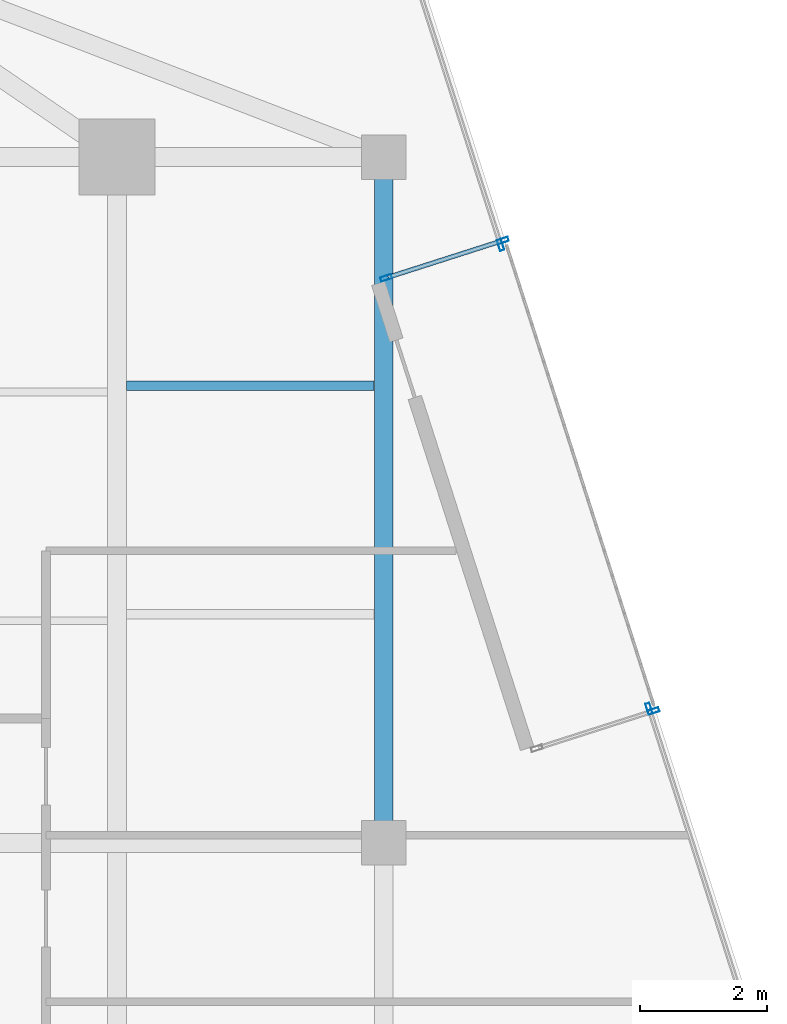
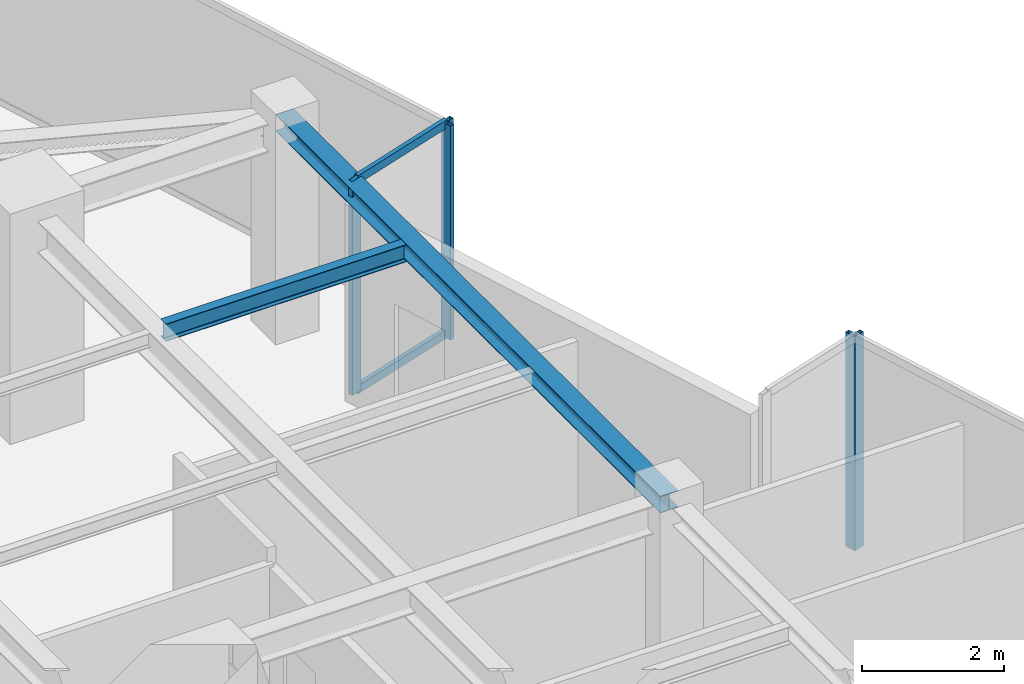
# One storey, part 12 of 21: 7 members, 2 beams, 4 elements without a shape of their own.
"""IFC4 building model written with IfcOpenShell, lengths in metres."""

from ifc_helpers import new_model, si_unit, direction, frame, origin, origin_2d, place, context, subcontext, project, spatial, hollow_rectangle, i_section, extrude, source, transform, mapped, material, material_profile, profile_set, type_object, type_shapes, element, aggregate, save


model = new_model("IFC4")

# Units and contexts
model_context = context("Model", 3, precision=1e-05, world=origin(), true_north=direction((0.0, 1.0)))
body_context = subcontext(model_context, "Body", "Model", "MODEL_VIEW")
ifc_project = project(units=[si_unit("LENGTHUNIT", "METRE"), si_unit("AREAUNIT", "SQUARE_METRE"), si_unit("VOLUMEUNIT", "CUBIC_METRE"), si_unit("PLANEANGLEUNIT", "RADIAN"), si_unit("MASSUNIT", "GRAM", prefix="KILO")], contexts=[model_context])

# Site, building, storey
site_placement = place(None, origin())
site = spatial("IfcSite", under=ifc_project, at=site_placement, CompositionType="ELEMENT")
building_placement = place(site_placement, origin())
building = spatial("IfcBuilding", under=site, at=building_placement, Name="Krantzveldt Concourse Tower", CompositionType="ELEMENT")
storey_placement = place(building_placement, frame((0.0, 0.0, 339.550048828125)))
storey = spatial("IfcBuildingStorey", under=building, at=storey_placement, Name="L83", CompositionType="ELEMENT", Elevation=339.550048828125)

# Beams
ifc_material_1 = material(Name="Steel S355JR", Category="steel")
ifc_material_profile_1 = material_profile(ifc_material_1, i_section(OverallWidth=0.2900390625, OverallDepth=0.2900390625, WebThickness=0.008544921875, FlangeThickness=0.013916015625, FilletRadius=0.027099609375, at=origin_2d()), Name="Steel S355JR", Category="steel")
ifc_profile_set_1 = profile_set([ifc_material_profile_1], Name="Steel S355JR - HEA 300")
beam_type_1 = type_object("IfcBeamType", Name="BM-SP-HEA300", PredefinedType="SPANDREL", material=ifc_profile_set_1)
shared_shape_1 = source(origin(), body_context, "Body", "SweptSolid", [
    extrude(i_section(OverallWidth=0.2900390625, OverallDepth=0.2900390625, WebThickness=0.008544921875, FlangeThickness=0.013916015625, FilletRadius=0.027099609375, at=origin_2d()), origin(), (0.0, 0.0, 1.0), 10.800048828125),
])
type_shapes(beam_type_1, [shared_shape_1])
beam_1_placement = place(storey_placement, frame((51.0, 37.5, 3.52490234375), z_axis=(0.0, -1.0, 0.0), x_axis=(1.0, 0.0, 0.0)))
element("IfcBeam", 1, at=beam_1_placement, inside=storey, type_object=beam_type_1, Name="L83 Tower Girder SP-R06", PredefinedType="SPANDREL", context=body_context, shape_type="MappedRepresentation", body=[
    mapped(shared_shape_1, transform((0.0, 0.0, 0.0), x_axis=(1.0, 0.0, 0.0), y_axis=(0.0, 1.0, 0.0), z_axis=(0.0, 0.0, 1.0), scale=1.0)),
])
ifc_material_profile_2 = material_profile(ifc_material_1, i_section(OverallWidth=0.14990234375, OverallDepth=0.300048828125, WebThickness=0.007080078125, FlangeThickness=0.0107421875, FilletRadius=0.014892578125, at=origin_2d()), Name="Steel S355JR", Category="steel")
ifc_profile_set_2 = profile_set([ifc_material_profile_2], Name="Steel S355JR - IPE 300")
beam_type_2 = type_object("IfcBeamType", Name="BM-J-IPE300", PredefinedType="JOIST", material=ifc_profile_set_2)
shared_shape_2 = source(origin(), body_context, "Body", "SweptSolid", [
    extrude(i_section(OverallWidth=0.14990234375, OverallDepth=0.300048828125, WebThickness=0.007080078125, FlangeThickness=0.0107421875, FilletRadius=0.014892578125, at=origin_2d()), origin(), (0.0, 0.0, 1.0), 3.900146484375),
])
type_shapes(beam_type_2, [shared_shape_2])
beam_2_placement = place(storey_placement, frame((46.949951171875, 33.89990234375, 3.52001953125), z_axis=(1.0, 0.0, 0.0), x_axis=(0.0, 1.0, 0.0)))
element("IfcBeam", 2, at=beam_2_placement, inside=storey, type_object=beam_type_2, Name="L83 Secondary Floor Joist JE-4", PredefinedType="JOIST", context=body_context, shape_type="MappedRepresentation", body=[
    mapped(shared_shape_2, transform((0.0, 0.0, 0.0), x_axis=(1.0, 0.0, 0.0), y_axis=(0.0, 1.0, 0.0), z_axis=(0.0, 0.0, 1.0), scale=1.0)),
])

# Curtain wall, member
ifc_material_2 = material(Name="Anodised aluminium 6063-T6", Category="aluminium")
curtain_wall_type_1 = type_object("IfcCurtainWallType", Name="CW4", PredefinedType="USERDEFINED", material=ifc_material_2)
curtain_wall_1_placement = place(storey_placement, origin())
curtain_wall_1 = element("IfcCurtainWall", 3, at=curtain_wall_1_placement, inside=storey, type_object=curtain_wall_type_1, Name="CW-L83-F10", ObjectType="UNITISED CURTAIN WALL", PredefinedType="USERDEFINED")
ifc_material_profile_3 = material_profile(ifc_material_2, hollow_rectangle(XDim=0.070068359375, YDim=0.179931640625, WallThickness=0.0048828125, at=origin_2d()), Name="Anodised aluminium 6063-T6", Category="aluminium")
ifc_profile_set_3 = profile_set([ifc_material_profile_3], Name="Anodised aluminium 6063-T6 - ALU-MULL 180x70x5")
member_type_1 = type_object("IfcMemberType", Name="CW-MUL-180", PredefinedType="MULLION", material=ifc_profile_set_3)
shared_shape_3 = source(origin(), body_context, "Body", "SweptSolid", [
    extrude(hollow_rectangle(XDim=0.070068359375, YDim=0.179931640625, WallThickness=0.0048828125, at=origin_2d()), origin(), (0.0, 0.0, 1.0), 3.669921875),
])
type_shapes(member_type_1, [shared_shape_3])
member_1_placement = place(storey_placement, frame((55.178955078125, 28.8125, 0.0), z_axis=(0.0, 0.0, 1.0), x_axis=(-0.952395720224, -0.304864547135, 0.0)))
member_1 = element("IfcMember", 4, at=member_1_placement, type_object=member_type_1, Name="CW-Z56 mullion 2", PredefinedType="MULLION", context=body_context, shape_type="MappedRepresentation", body=[
    mapped(shared_shape_3, transform((0.0, 0.0, 0.0), x_axis=(1.0, 0.0, 0.0), y_axis=(0.0, 1.0, 0.0), z_axis=(0.0, 0.0, 1.0), scale=1.0)),
])
aggregate(curtain_wall_1, [member_1])

curtain_wall_type_2 = type_object("IfcCurtainWallType", Name="CW6", PredefinedType="USERDEFINED", material=ifc_material_2)
curtain_wall_2_placement = place(storey_placement, origin())
curtain_wall_2 = element("IfcCurtainWall", 5, at=curtain_wall_2_placement, inside=storey, type_object=curtain_wall_type_2, Name="CW-L83-TR11", ObjectType="UNITISED CURTAIN WALL", PredefinedType="USERDEFINED")
member_2_placement = place(storey_placement, frame((55.248046875, 28.77685546875, 0.0), z_axis=(0.0, 0.0, 1.0), x_axis=(0.304865167035, -0.952395521792, 0.0)))
member_2 = element("IfcMember", 6, at=member_2_placement, type_object=member_type_1, Name="CW-TERR mullion 1", PredefinedType="MULLION", context=body_context, shape_type="MappedRepresentation", body=[
    mapped(shared_shape_3, transform((0.0, 0.0, 0.0), x_axis=(1.0, 0.0, 0.0), y_axis=(0.0, 1.0, 0.0), z_axis=(0.0, 0.0, 1.0), scale=1.0)),
])
aggregate(curtain_wall_2, [member_2])

# Curtain wall, members
curtain_wall_3_placement = place(storey_placement, origin())
curtain_wall_3 = element("IfcCurtainWall", 7, at=curtain_wall_3_placement, inside=storey, type_object=curtain_wall_type_2, Name="CW-L83-TR13", ObjectType="UNITISED CURTAIN WALL", PredefinedType="USERDEFINED")
member_3_placement = place(storey_placement, frame((51.0380859375, 35.59814453125, 0.0), z_axis=(0.0, 0.0, 1.0), x_axis=(-0.304863715281, 0.952395986502, 0.0)))
member_3 = element("IfcMember", 8, at=member_3_placement, type_object=member_type_1, Name="CW-TERR mullion 1", PredefinedType="MULLION", context=body_context, shape_type="MappedRepresentation", body=[
    mapped(shared_shape_3, transform((0.0, 0.0, 0.0), x_axis=(1.0, 0.0, 0.0), y_axis=(0.0, 1.0, 0.0), z_axis=(0.0, 0.0, 1.0), scale=1.0)),
])
member_4_placement = place(storey_placement, frame((52.876220703125, 36.1865234375, 0.0), z_axis=(0.0, 0.0, 1.0), x_axis=(-0.304863715281, 0.952395986502, 0.0)))
member_4 = element("IfcMember", 9, at=member_4_placement, type_object=member_type_1, Name="CW-TERR mullion 2", PredefinedType="MULLION", context=body_context, shape_type="MappedRepresentation", body=[
    mapped(shared_shape_3, transform((0.0, 0.0, 0.0), x_axis=(1.0, 0.0, 0.0), y_axis=(0.0, 1.0, 0.0), z_axis=(0.0, 0.0, 1.0), scale=1.0)),
])

# Curtain wall, member
curtain_wall_4_placement = place(storey_placement, origin())
curtain_wall_4 = element("IfcCurtainWall", 10, at=curtain_wall_4_placement, inside=storey, type_object=curtain_wall_type_1, Name="CW-L83-F14", ObjectType="UNITISED CURTAIN WALL", PredefinedType="USERDEFINED")
member_5_placement = place(storey_placement, frame((52.840576171875, 36.117431640625, 0.0), z_axis=(0.0, 0.0, 1.0), x_axis=(-0.952395720224, -0.304864547135, 0.0)))
member_5 = element("IfcMember", 11, at=member_5_placement, type_object=member_type_1, Name="CW-Z56 mullion 1", PredefinedType="MULLION", context=body_context, shape_type="MappedRepresentation", body=[
    mapped(shared_shape_3, transform((0.0, 0.0, 0.0), x_axis=(1.0, 0.0, 0.0), y_axis=(0.0, 1.0, 0.0), z_axis=(0.0, 0.0, 1.0), scale=1.0)),
])
aggregate(curtain_wall_4, [member_5])

# Member
ifc_material_profile_4 = material_profile(ifc_material_2, hollow_rectangle(XDim=0.070068359375, YDim=0.139892578125, WallThickness=0.0048828125, at=origin_2d()), Name="Anodised aluminium 6063-T6", Category="aluminium")
ifc_profile_set_4 = profile_set([ifc_material_profile_4], Name="Anodised aluminium 6063-T6 - ALU-TRAN 140x70x5")
member_type_2 = type_object("IfcMemberType", Name="CW-TRN-150", PredefinedType="USERDEFINED", material=ifc_profile_set_4)
shared_shape_4 = source(origin(), body_context, "Body", "SweptSolid", [
    extrude(hollow_rectangle(XDim=0.070068359375, YDim=0.139892578125, WallThickness=0.0048828125, at=origin_2d()), origin(), (0.0, 0.0, 1.0), 1.860107421875),
])
type_shapes(member_type_2, [shared_shape_4])
member_6_placement = place(storey_placement, frame((51.071533203125, 35.60888671875, 0.034912109375), z_axis=(0.952382990504, 0.304904311872, 0.0), x_axis=(-0.304904311872, 0.952382990504, 0.0)))
member_6 = element("IfcMember", 12, at=member_6_placement, type_object=member_type_2, Name="CW-TERR transom 1.1", ObjectType="TRANSOM", PredefinedType="USERDEFINED", context=body_context, shape_type="MappedRepresentation", body=[
    mapped(shared_shape_4, transform((0.0, 0.0, 0.0), x_axis=(1.0, 0.0, 0.0), y_axis=(0.0, 1.0, 0.0), z_axis=(0.0, 0.0, 1.0), scale=1.0)),
])

member_7_placement = place(storey_placement, frame((51.071533203125, 35.60888671875, 3.635009765625), z_axis=(0.952382990504, 0.304904311872, 0.0), x_axis=(-0.304904311872, 0.952382990504, 0.0)))
member_7 = element("IfcMember", 13, at=member_7_placement, type_object=member_type_2, Name="CW-TERR transom 1.2", ObjectType="TRANSOM", PredefinedType="USERDEFINED", context=body_context, shape_type="MappedRepresentation", body=[
    mapped(shared_shape_4, transform((0.0, 0.0, 0.0), x_axis=(1.0, 0.0, 0.0), y_axis=(0.0, 1.0, 0.0), z_axis=(0.0, 0.0, 1.0), scale=1.0)),
])

aggregate(curtain_wall_3, [member_3, member_4, member_6, member_7])

save(model, "model.ifc")
